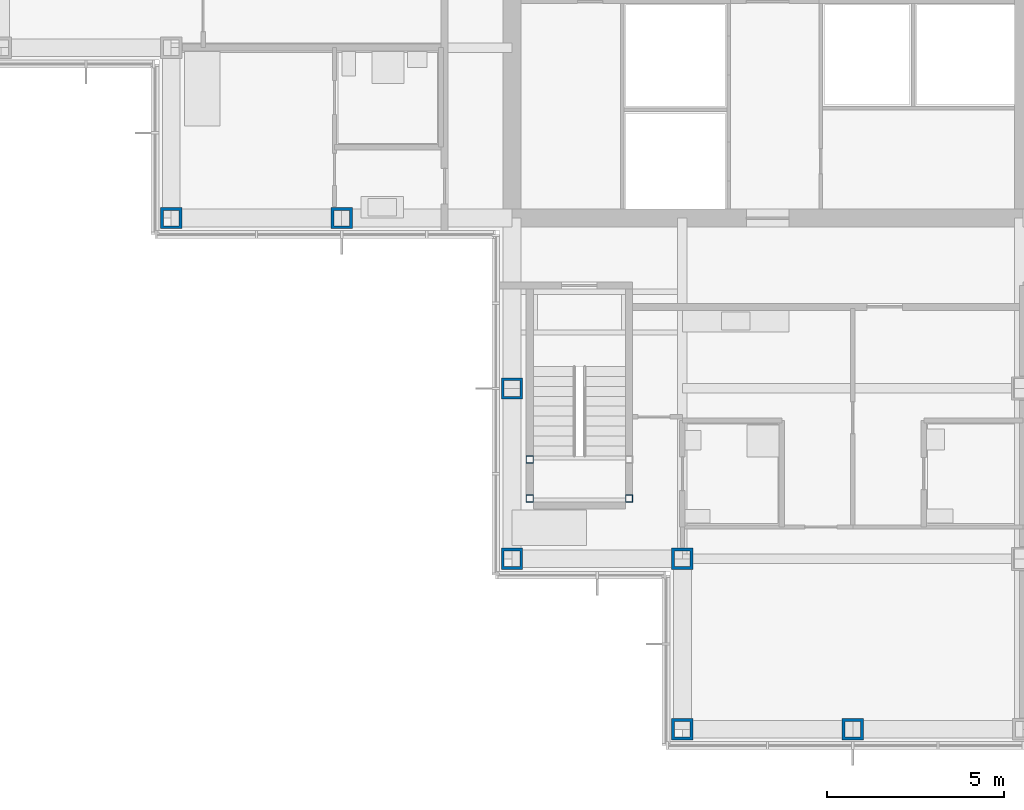
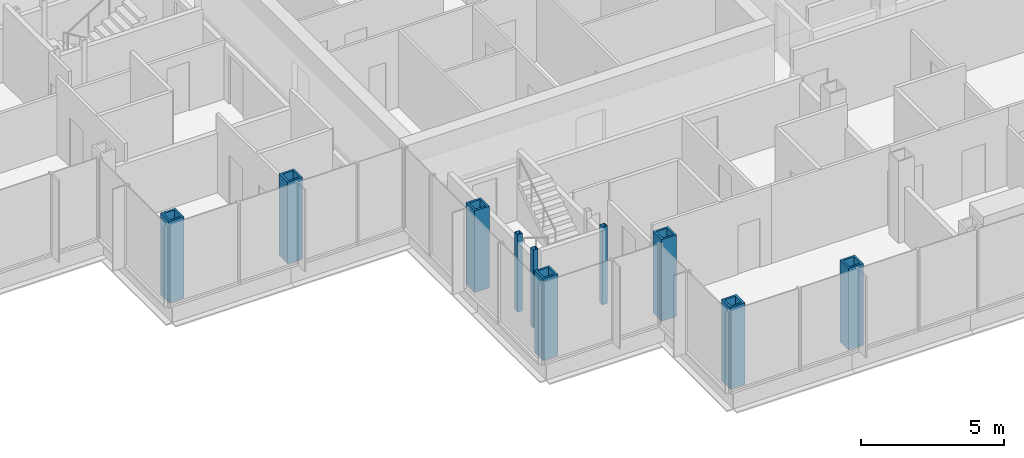
# One storey, part 1 of 19: 10 columns.
"""IFC4 building model written with IfcOpenShell, lengths in metres."""

from ifc_helpers import new_model, si_unit, direction, frame, origin, origin_2d, place, context, subcontext, project, spatial, hollow_rectangle, extrude, material, material_profile, profile_set, type_object, element, save


model = new_model("IFC4")

# Units and contexts
model_context = context("Model", 3, precision=1e-05, world=origin(), true_north=direction((0.0, 1.0)))
body_context = subcontext(model_context, "Body", "Model", "MODEL_VIEW")
ifc_project = project(units=[si_unit("LENGTHUNIT", "METRE"), si_unit("AREAUNIT", "SQUARE_METRE"), si_unit("VOLUMEUNIT", "CUBIC_METRE"), si_unit("PLANEANGLEUNIT", "RADIAN"), si_unit("MASSUNIT", "GRAM", prefix="KILO")], contexts=[model_context])

# Site, building, storey
site_placement = place(None, origin())
site = spatial("IfcSite", under=ifc_project, at=site_placement, CompositionType="ELEMENT")
building_placement = place(site_placement, origin())
building = spatial("IfcBuilding", under=site, at=building_placement, Name="Kvirike Care Tower", CompositionType="ELEMENT")
storey_placement = place(building_placement, frame((0.0, 0.0, 129.5)))
storey = spatial("IfcBuildingStorey", under=building, at=storey_placement, Name="L35", CompositionType="ELEMENT", Elevation=129.5)

# Columns
ifc_material_1 = material(Name="Steel S460", Category="steel")
ifc_material_profile_1 = material_profile(ifc_material_1, hollow_rectangle(XDim=0.60009765625, YDim=0.60009765625, WallThickness=0.080078125, at=origin_2d()), Name="BX 600x600x80")
ifc_profile_set_1 = profile_set([ifc_material_profile_1], Name="Steel S460")
column_type_1 = type_object("IfcColumnType", Name="COLUMN BX 600x600x80", PredefinedType="COLUMN", material=ifc_profile_set_1)
for number, where, z_axis, x_axis, name in (
    (1, (4.800048828125, 28.800048828125, 0.0), (0.0, 0.0, 1.0), (0.0, 1.0, 0.0), "Column G4 L35"),
    (2, (9.60009765625, 28.800048828125, 0.0), (0.0, 0.0, 1.0), (0.0, 1.0, 0.0), "Column G5 L35"),
    (3, (14.39990234375, 19.199951171875, 0.0), (0.0, 0.0, 1.0), (0.0, 1.0, 0.0), "Column E6 L35"),
    (4, (14.39990234375, 24.0, 0.0), (0.0, 0.0, 1.0), (1.0, 0.0, 0.0), "Column F6 L35"),
    (5, (19.199951171875, 14.39990234375, 0.0), (0.0, 0.0, 1.0), (0.0, 1.0, 0.0), "Column D7 L35"),
    (6, (19.199951171875, 19.199951171875, 0.0), (0.0, 0.0, 1.0), (0.0, 1.0, 0.0), "Column E7 L35"),
    (7, (24.0, 14.39990234375, 0.0), (0.0, 0.0, 1.0), (0.0, 1.0, 0.0), "Column D8 L35"),
):
    element("IfcColumn", number, at=place(storey_placement, frame(where, z_axis=z_axis, x_axis=x_axis)), inside=storey, type_object=column_type_1, Name=name, PredefinedType="COLUMN", context=body_context, shape_type="SweptSolid", body=[
        extrude(hollow_rectangle(XDim=0.60009765625, YDim=0.60009765625, WallThickness=0.080078125, at=origin_2d()), origin(), (0.0, 0.0, 1.0), 3.5),
    ])
ifc_material_2 = material(Name="Steel S460", Category="steel")
ifc_material_profile_2 = material_profile(ifc_material_2, hollow_rectangle(XDim=0.199951171875, YDim=0.199951171875, WallThickness=0.008056640625, at=origin_2d()), Name="SHS 200x200x8")
ifc_profile_set_2 = profile_set([ifc_material_profile_2], Name="Steel S460")
column_type_2 = type_object("IfcColumnType", Name="STAIR POST SHS 200x200x8", PredefinedType="COLUMN", material=ifc_profile_set_2)
for number, where, z_axis, x_axis, name in (
    (8, (14.89990234375, 20.89990234375, 0.0), (0.0, 0.0, 1.0), (1.0, 0.0, 0.0), "Stair 5 post 1 L35"),
    (9, (17.699951171875, 20.89990234375, 0.0), (0.0, 0.0, 1.0), (1.0, 0.0, 0.0), "Stair 5 post 2 L35"),
    (10, (14.89990234375, 22.0, 0.0), (0.0, 0.0, 1.0), (1.0, 0.0, 0.0), "Stair 5 post 3 L35"),
):
    element("IfcColumn", number, at=place(storey_placement, frame(where, z_axis=z_axis, x_axis=x_axis)), inside=storey, type_object=column_type_2, Name=name, PredefinedType="COLUMN", context=body_context, shape_type="SweptSolid", body=[
        extrude(hollow_rectangle(XDim=0.199951171875, YDim=0.199951171875, WallThickness=0.008056640625, at=origin_2d()), origin(), (0.0, 0.0, 1.0), 3.330078125),
    ])

save(model, "model.ifc")
